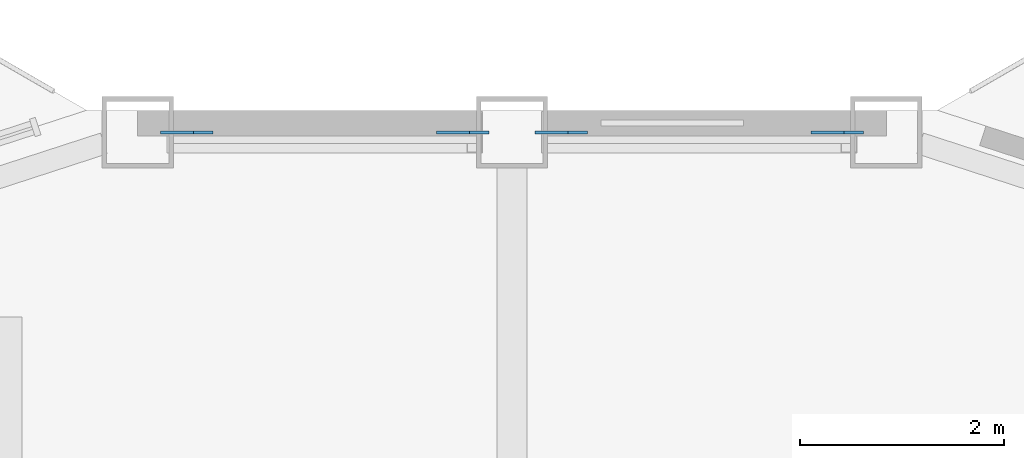
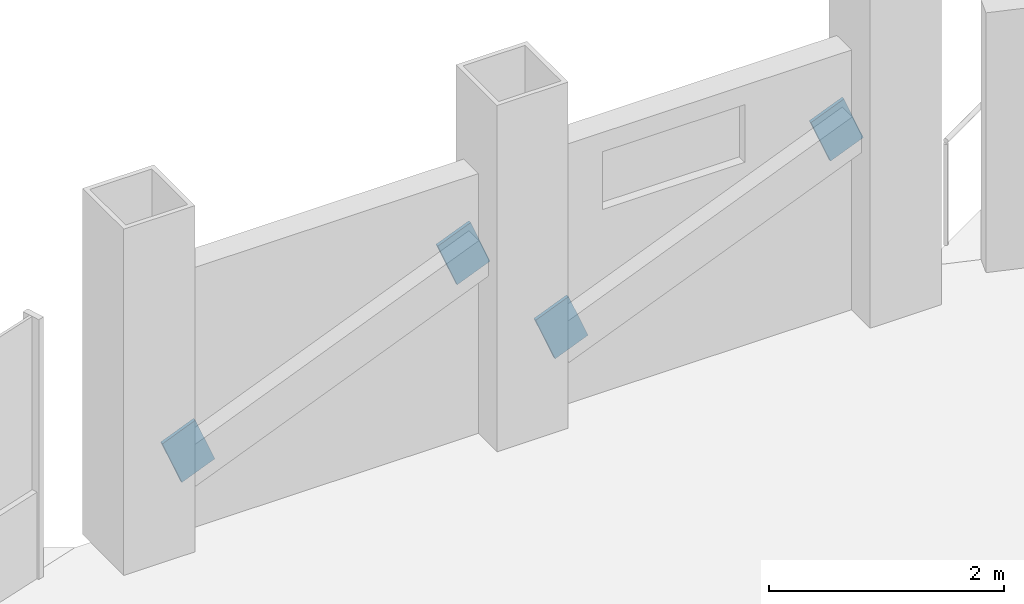
# One storey, part 18 of 23: 4 discrete accessories.
"""IFC4 building model written with IfcOpenShell, lengths in metres."""

from ifc_helpers import new_model, si_unit, direction, frame, origin, origin_2d, place, context, subcontext, project, spatial, rectangle, extrude, material, material_profile, profile_set, type_object, element, save


model = new_model("IFC4")

# Units and contexts
model_context = context("Model", 3, precision=1e-05, world=origin(), true_north=direction((0.0, 1.0)))
body_context = subcontext(model_context, "Body", "Model", "MODEL_VIEW")
ifc_project = project(units=[si_unit("LENGTHUNIT", "METRE"), si_unit("AREAUNIT", "SQUARE_METRE"), si_unit("VOLUMEUNIT", "CUBIC_METRE"), si_unit("PLANEANGLEUNIT", "RADIAN"), si_unit("MASSUNIT", "GRAM", prefix="KILO")], contexts=[model_context])

# Site, building, storey
site_placement = place(None, origin())
site = spatial("IfcSite", under=ifc_project, at=site_placement, CompositionType="ELEMENT")
building_placement = place(site_placement, origin())
building = spatial("IfcBuilding", under=site, at=building_placement, Name="Cormorant Prow Tower", CompositionType="ELEMENT")
storey_placement = place(building_placement, frame((0.0, 0.0, 249.0)))
storey = spatial("IfcBuildingStorey", under=building, at=storey_placement, Name="L55", CompositionType="ELEMENT", Elevation=249.0)

# Discrete accessories
ifc_material = material(Name="Structural steel ASTM A500 Gr C", Category="steel")
ifc_material_profile = material_profile(ifc_material, rectangle(XDim=0.031982421875, YDim=0.506103515625, at=origin_2d()), Name="Gusset plate 32x506")
ifc_profile_set = profile_set([ifc_material_profile], Name="Structural steel ASTM A500 Gr C")
discrete_accessory_type = type_object("IfcDiscreteAccessoryType", Name="Gusset plate 32x506", PredefinedType="BRACKET", material=ifc_profile_set)
discrete_accessory_1_placement = place(storey_placement, frame((0.643310546875, 32.073486328125, 0.863037109375), z_axis=(-0.925513623242, 0.0, -0.378714316067), x_axis=(0.0, -1.0, 0.0)))
element("IfcDiscreteAccessory", 1, at=discrete_accessory_1_placement, inside=storey, type_object=discrete_accessory_type, Name="Gusset plate GP2 L55.N00.g0", PredefinedType="BRACKET", context=body_context, shape_type="SweptSolid", body=[
    extrude(rectangle(XDim=0.031982421875, YDim=0.506103515625, at=origin_2d()), origin(), (0.0, 0.0, 1.0), 0.35009765625),
])
discrete_accessory_2_placement = place(storey_placement, frame((3.027099609375, 32.073486328125, 1.837890625), z_axis=(0.925757954086, 0.0, 0.378116662483), x_axis=(0.0, 1.0, 0.0)))
element("IfcDiscreteAccessory", 2, at=discrete_accessory_2_placement, inside=storey, type_object=discrete_accessory_type, Name="Gusset plate GP2 L55.N00.g1", PredefinedType="BRACKET", context=body_context, shape_type="SweptSolid", body=[
    extrude(rectangle(XDim=0.031982421875, YDim=0.506103515625, at=origin_2d()), origin(), (0.0, 0.0, 1.0), 0.349853515625),
])
discrete_accessory_3_placement = place(storey_placement, frame((-3.027099609375, 32.073486328125, 0.863037109375), z_axis=(-0.925513623242, 0.0, -0.378714316067), x_axis=(0.0, -1.0, 0.0)))
element("IfcDiscreteAccessory", 3, at=discrete_accessory_3_placement, inside=storey, type_object=discrete_accessory_type, Name="Gusset plate GP2 L55.N01.g0", PredefinedType="BRACKET", context=body_context, shape_type="SweptSolid", body=[
    extrude(rectangle(XDim=0.031982421875, YDim=0.506103515625, at=origin_2d()), origin(), (0.0, 0.0, 1.0), 0.35009765625),
])
discrete_accessory_4_placement = place(storey_placement, frame((-0.643310546875, 32.073486328125, 1.837890625), z_axis=(0.925757954086, 0.0, 0.378116662483), x_axis=(0.0, 1.0, 0.0)))
element("IfcDiscreteAccessory", 4, at=discrete_accessory_4_placement, inside=storey, type_object=discrete_accessory_type, Name="Gusset plate GP2 L55.N01.g1", PredefinedType="BRACKET", context=body_context, shape_type="SweptSolid", body=[
    extrude(rectangle(XDim=0.031982421875, YDim=0.506103515625, at=origin_2d()), origin(), (0.0, 0.0, 1.0), 0.349853515625),
])

save(model, "model.ifc")
